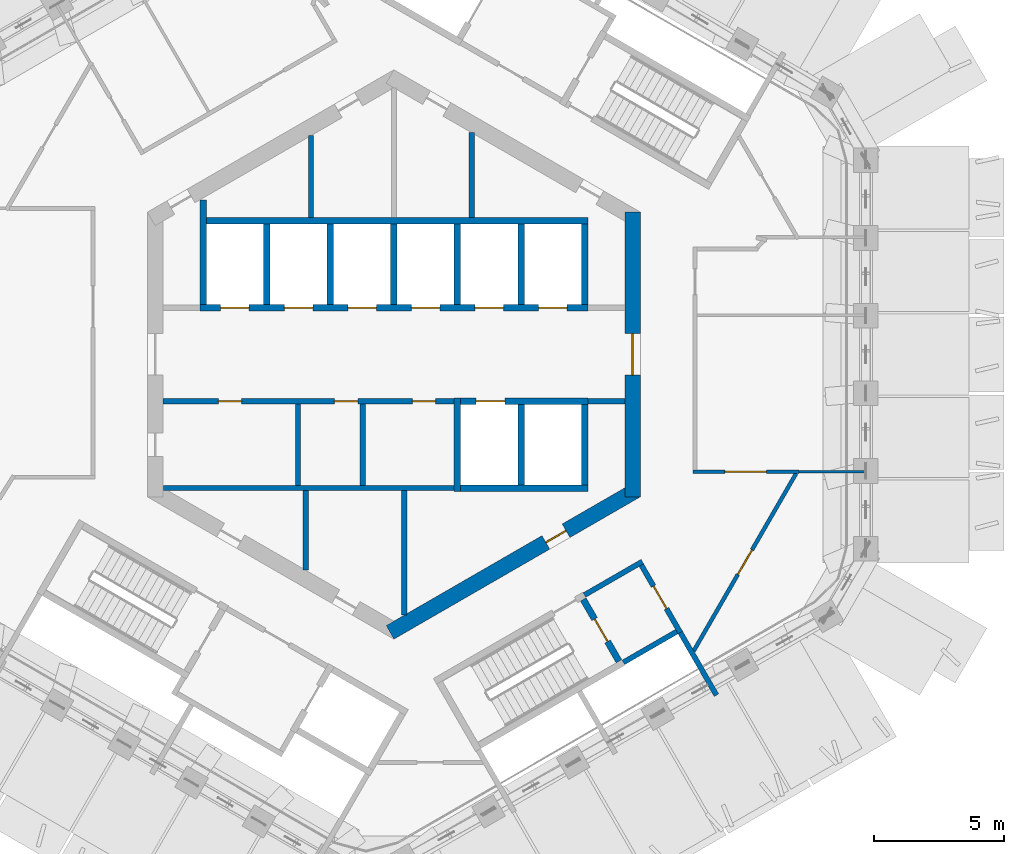
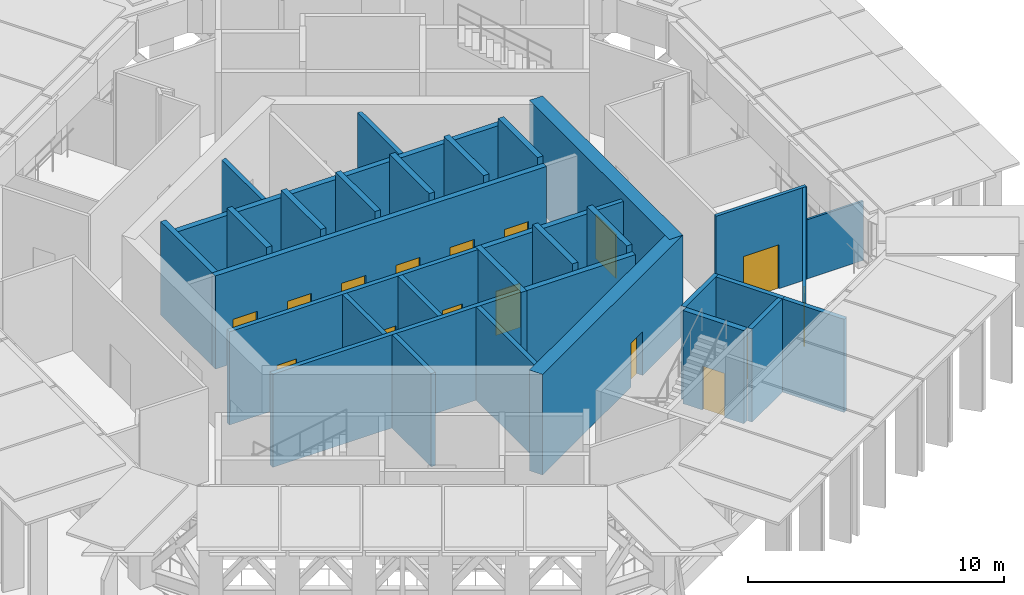
# One storey, part 7 of 15: 33 walls, 16 doors, 16 openings.
"""IFC4 building model written with IfcOpenShell, lengths in metres."""

from ifc_helpers import new_model, si_unit, direction, frame, frame_2d, origin, place, context, subcontext, project, spatial, rectangle, extrude, material, layer, layer_set, type_object, element, fill, save


model = new_model("IFC4")

# Units and contexts
model_context = context("Model", 3, precision=1e-05, world=origin(), true_north=direction((0.0, 1.0)))
body_context = subcontext(model_context, "Body", "Model", "MODEL_VIEW")
ifc_project = project(units=[si_unit("LENGTHUNIT", "METRE"), si_unit("AREAUNIT", "SQUARE_METRE"), si_unit("VOLUMEUNIT", "CUBIC_METRE"), si_unit("PLANEANGLEUNIT", "RADIAN"), si_unit("MASSUNIT", "GRAM", prefix="KILO")], contexts=[model_context])

# Site, building, storey
site_placement = place(None, origin())
site = spatial("IfcSite", under=ifc_project, at=site_placement, CompositionType="ELEMENT")
building_placement = place(site_placement, origin())
building = spatial("IfcBuilding", under=site, at=building_placement, Name="Ayvan Gate Tower", CompositionType="ELEMENT")
storey_placement = place(building_placement, frame((0.0, 0.0, 214.10009765625)))
storey = spatial("IfcBuildingStorey", under=building, at=storey_placement, Name="L57", CompositionType="ELEMENT", Elevation=214.10009765625)

# Wall, opening, door
ifc_material_1 = material(Name="Concrete C60/75", Category="concrete")
ifc_layer_1 = layer(ifc_material_1, 0.60009765625)
ifc_layer_set_1 = layer_set([ifc_layer_1], Name="Concrete C60/75")
wall_type_1 = type_object("IfcWallType", Name="Core wall 600 C60/75", PredefinedType="SHEAR", material=ifc_layer_set_1)
wall_1_placement = place(storey_placement, frame((9.199951171875, -5.48486328125, 0.0), z_axis=(0.0, 0.0, 1.0), x_axis=(0.0, 1.0, 0.0)))
wall_1 = element("IfcWall", 1, at=wall_1_placement, inside=storey, type_object=wall_type_1, Name="CORE-L57-0", PredefinedType="SHEAR", context=body_context, shape_type="SweptSolid", body=[
    extrude(rectangle(XDim=10.9697265625, YDim=0.60009765625, at=frame_2d((5.48486328125, 0.0))), origin(), (0.0, 0.0, 1.0), 4.7998046875),
])
opening_1_placement = place(wall_1_placement, frame((4.684814453125, 0.0, 0.0)))
opening_1 = element("IfcOpeningElement", 2, at=opening_1_placement, cuts=wall_1, Name="Opening L57-D40", PredefinedType="OPENING", context=body_context, shape_type="SweptSolid", body=[
    extrude(rectangle(XDim=1.60009765625, YDim=2.10009765625, at=frame_2d((0.800048828125, 1.050048828125))), frame((0.0, 0.31005859375, 0.0), z_axis=(0.0, -1.0, 0.0), x_axis=(1.0, 0.0, 0.0)), (0.0, 0.0, 1.0), 0.6201171875),
])
ifc_material_2 = material(Name="Timber door leaf", Category="wood")
door_type_1 = type_object("IfcDoorType", Name="DT-1600", OperationType="NOTDEFINED", PredefinedType="DOOR", material=ifc_material_2)
door_1_placement = place(opening_1_placement, origin())
door_1 = element("IfcDoor", 3, at=door_1_placement, inside=storey, type_object=door_type_1, Name="CD-L57-40", OperationType="SINGLE_SWING_LEFT", OverallHeight=2.10009765625, OverallWidth=1.60009765625, PredefinedType="DOOR", context=body_context, shape_type="SweptSolid", body=[
    extrude(rectangle(XDim=1.60009765625, YDim=2.10009765625, at=frame_2d((0.800048828125, 1.050048828125))), frame((0.0, 0.02490234375, 0.0), z_axis=(0.0, -1.0, 0.0), x_axis=(1.0, 0.0, 0.0)), (0.0, 0.0, 1.0), 0.050048828125),
])
fill(opening_1, door_1)

wall_2_placement = place(storey_placement, frame((-0.14990234375, -10.7099609375, 0.0), z_axis=(0.0, 0.0, 1.0), x_axis=(0.866023993627, 0.500002442456, 0.0)))
wall_2 = element("IfcWall", 4, at=wall_2_placement, inside=storey, type_object=wall_type_1, Name="CORE-L57-5", PredefinedType="SHEAR", context=body_context, shape_type="SweptSolid", body=[
    extrude(rectangle(XDim=10.9697265625, YDim=0.60009765625, at=frame_2d((5.48486328125, 0.0))), origin(), (0.0, 0.0, 1.0), 4.7998046875),
])
opening_2_placement = place(wall_2_placement, frame((6.934814453125, 0.0, 0.0)))
opening_2 = element("IfcOpeningElement", 5, at=opening_2_placement, cuts=wall_2, Name="Opening L57-D38", PredefinedType="OPENING", context=body_context, shape_type="SweptSolid", body=[
    extrude(rectangle(XDim=0.89990234375, YDim=2.10009765625, at=frame_2d((0.449951171875, 1.050048828125))), frame((0.0, 0.31005859375, 0.0), z_axis=(0.0, -1.0, 0.0), x_axis=(1.0, 0.0, 0.0)), (0.0, 0.0, 1.0), 0.6201171875),
])
door_type_2 = type_object("IfcDoorType", Name="DT-900", OperationType="NOTDEFINED", PredefinedType="DOOR", material=ifc_material_2)
door_2_placement = place(opening_2_placement, origin())
door_2 = element("IfcDoor", 6, at=door_2_placement, inside=storey, type_object=door_type_2, Name="CD-L57-38", OperationType="SINGLE_SWING_LEFT", OverallHeight=2.10009765625, OverallWidth=0.89990234375, PredefinedType="DOOR", context=body_context, shape_type="SweptSolid", body=[
    extrude(rectangle(XDim=0.89990234375, YDim=2.10009765625, at=frame_2d((0.449951171875, 1.050048828125))), frame((0.0, 0.02490234375, 0.0), z_axis=(0.0, -1.0, 0.0), x_axis=(1.0, 0.0, 0.0)), (0.0, 0.0, 1.0), 0.050048828125),
])
fill(opening_2, door_2)

ifc_material_3 = material(Name="Plasterboard on steel stud", Category="steel")
ifc_layer_2 = layer(ifc_material_3, 0.14990234375)
ifc_layer_set_2 = layer_set([ifc_layer_2], Name="Plasterboard on steel stud")
wall_type_2 = type_object("IfcWallType", Name="WT-CORR-150", PredefinedType="PARTITIONING", material=ifc_layer_set_2)
wall_3_placement = place(storey_placement, frame((11.52490234375, -4.518310546875, 0.0), z_axis=(0.0, 0.0, 1.0), x_axis=(1.0, 0.0, 0.0)))
wall_3 = element("IfcWall", 7, at=wall_3_placement, inside=storey, type_object=wall_type_2, Name="IW-L57-083", PredefinedType="PARTITIONING", context=body_context, shape_type="SweptSolid", body=[
    extrude(rectangle(XDim=4.090087890625, YDim=0.14990234375, at=frame_2d((2.044921875, 0.0))), origin(), (0.0, 0.0, 1.0), 4.449951171875),
])
opening_3_placement = place(wall_3_placement, frame((1.227783203125, 0.0, 0.0)))
opening_3 = element("IfcOpeningElement", 8, at=opening_3_placement, cuts=wall_3, Name="Opening L57-D24", PredefinedType="OPENING", context=body_context, shape_type="SweptSolid", body=[
    extrude(rectangle(XDim=1.60009765625, YDim=2.10009765625, at=frame_2d((0.800048828125, 1.050048828125))), frame((0.0, 0.0849609375, 0.0), z_axis=(0.0, -1.0, 0.0), x_axis=(1.0, 0.0, 0.0)), (0.0, 0.0, 1.0), 0.169921875),
])
door_3_placement = place(opening_3_placement, origin())
door_3 = element("IfcDoor", 9, at=door_3_placement, inside=storey, type_object=door_type_1, Name="ID-L57-024", OperationType="SINGLE_SWING_LEFT", OverallHeight=2.10009765625, OverallWidth=1.60009765625, PredefinedType="DOOR", context=body_context, shape_type="SweptSolid", body=[
    extrude(rectangle(XDim=1.60009765625, YDim=2.10009765625, at=frame_2d((0.800048828125, 1.050048828125))), frame((0.0, 0.02490234375, 0.0), z_axis=(0.0, -1.0, 0.0), x_axis=(1.0, 0.0, 0.0)), (0.0, 0.0, 1.0), 0.050048828125),
])
fill(opening_3, door_3)

wall_4_placement = place(storey_placement, frame((15.50244140625, -4.583251953125, 0.0), z_axis=(0.0, 0.0, 1.0), x_axis=(-0.499991531824, -0.866030292833, 0.0)))
wall_4 = element("IfcWall", 10, at=wall_4_placement, inside=storey, type_object=wall_type_2, Name="IW-L57-095", PredefinedType="PARTITIONING", context=body_context, shape_type="SweptSolid", body=[
    extrude(rectangle(XDim=7.906494140625, YDim=0.14990234375, at=frame_2d((3.953125, 0.0))), origin(), (0.0, 0.0, 1.0), 4.449951171875),
])
opening_4_placement = place(wall_4_placement, frame((3.4033203125, 0.0, 0.0)))
opening_4 = element("IfcOpeningElement", 11, at=opening_4_placement, cuts=wall_4, Name="Opening L57-D22", PredefinedType="OPENING", context=body_context, shape_type="SweptSolid", body=[
    extrude(rectangle(XDim=1.10009765625, YDim=2.10009765625, at=frame_2d((0.550048828125, 1.050048828125))), frame((0.0, 0.0849609375, 0.0), z_axis=(0.0, -1.0, 0.0), x_axis=(1.0, 0.0, 0.0)), (0.0, 0.0, 1.0), 0.169921875),
])
door_type_3 = type_object("IfcDoorType", Name="DT-1100", OperationType="NOTDEFINED", PredefinedType="DOOR", material=ifc_material_2)
door_4_placement = place(opening_4_placement, origin())
door_4 = element("IfcDoor", 12, at=door_4_placement, inside=storey, type_object=door_type_3, Name="ID-L57-022", OperationType="SINGLE_SWING_LEFT", OverallHeight=2.10009765625, OverallWidth=1.10009765625, PredefinedType="DOOR", context=body_context, shape_type="SweptSolid", body=[
    extrude(rectangle(XDim=1.10009765625, YDim=2.10009765625, at=frame_2d((0.550048828125, 1.050048828125))), frame((0.0, 0.02490234375, 0.0), z_axis=(0.0, -1.0, 0.0), x_axis=(1.0, 0.0, 0.0)), (0.0, 0.0, 1.0), 0.050048828125),
])
fill(opening_4, door_4)

# Walls
ifc_layer_3 = layer(ifc_material_3, 0.10009765625)
ifc_layer_set_3 = layer_set([ifc_layer_3], Name="Plasterboard on steel stud")
wall_type_3 = type_object("IfcWallType", Name="WT-PART-100", PredefinedType="PARTITIONING", material=ifc_layer_set_3)
wall_5_placement = place(storey_placement, frame((15.614990234375, -4.518310546875, 0.0), z_axis=(0.0, 0.0, 1.0), x_axis=(1.0, 0.0, 0.0)))
element("IfcWall", 13, at=wall_5_placement, inside=storey, type_object=wall_type_3, Name="IW-L57-096", PredefinedType="PARTITIONING", context=body_context, shape_type="SweptSolid", body=[
    extrude(rectangle(XDim=2.571533203125, YDim=0.10009765625, at=frame_2d((1.28564453125, 0.0))), origin(), (0.0, 0.0, 1.0), 2.824951171875),
])
ifc_layer_4 = layer(ifc_material_3, 0.199951171875)
ifc_layer_set_4 = layer_set([ifc_layer_4], Name="Plasterboard on steel stud")
wall_type_4 = type_object("IfcWallType", Name="WT-PLUMB-200", PredefinedType="PLUMBINGWALL", material=ifc_layer_set_4)
wall_6_placement = place(storey_placement, frame((11.037353515625, -10.71728515625, 0.0), z_axis=(0.0, 0.0, 1.0), x_axis=(0.500013277472, -0.866017737897, 0.0)))
element("IfcWall", 14, at=wall_6_placement, inside=storey, type_object=wall_type_4, Name="IW-L57-081", PredefinedType="PLUMBINGWALL", context=body_context, shape_type="SweptSolid", body=[
    extrude(rectangle(XDim=2.78564453125, YDim=0.199951171875, at=frame_2d((1.392822265625, 0.0))), origin(), (0.0, 0.0, 1.0), 4.449951171875),
])
wall_7_placement = place(storey_placement, frame((10.900634765625, -10.6806640625, 0.0), z_axis=(0.0, 0.0, 1.0), x_axis=(-0.866007538022, -0.500030943131, 0.0)))
element("IfcWall", 15, at=wall_7_placement, inside=storey, type_object=wall_type_4, Name="IW-L57-082", PredefinedType="PLUMBINGWALL", context=body_context, shape_type="SweptSolid", body=[
    extrude(rectangle(XDim=2.374755859375, YDim=0.199951171875, at=frame_2d((1.1875, 0.0))), origin(), (0.0, 0.0, 1.0), 4.449951171875),
])
ifc_layer_5 = layer(ifc_material_3, 0.199951171875)
ifc_layer_set_5 = layer_set([ifc_layer_5], Name="Plasterboard on steel stud")
wall_type_5 = type_object("IfcWallType", Name="WT-RATED-200", PredefinedType="PARTITIONING", material=ifc_layer_set_5)
wall_8_placement = place(storey_placement, frame((-8.8798828125, -5.14990234375, 0.0), z_axis=(0.0, 0.0, 1.0), x_axis=(1.0, 0.0, 0.0)))
element("IfcWall", 16, at=wall_8_placement, inside=storey, type_object=wall_type_5, Name="IW-L57-014", PredefinedType="PARTITIONING", context=body_context, shape_type="SweptSolid", body=[
    extrude(rectangle(XDim=11.205078125, YDim=0.199951171875, at=frame_2d((5.6025390625, 0.0))), origin(), (0.0, 0.0, 1.0), 4.449951171875),
])
wall_9_placement = place(storey_placement, frame((-3.699951171875, -1.89990234375, 0.0), z_axis=(0.0, 0.0, 1.0), x_axis=(0.0, -1.0, 0.0)))
element("IfcWall", 17, at=wall_9_placement, inside=storey, type_object=wall_type_5, Name="IW-L57-029", PredefinedType="PARTITIONING", context=body_context, shape_type="SweptSolid", body=[
    extrude(rectangle(XDim=3.150146484375, YDim=0.199951171875, at=frame_2d((1.5751953125, 0.0))), origin(), (0.0, 0.0, 1.0), 4.449951171875),
])

# Wall, openings, doors
wall_10_placement = place(storey_placement, frame((-8.89990234375, -1.800048828125, 0.0), z_axis=(0.0, 0.0, 1.0), x_axis=(1.0, 0.0, 0.0)))
wall_10 = element("IfcWall", 18, at=wall_10_placement, inside=storey, type_object=wall_type_5, Name="IW-L57-030", PredefinedType="PARTITIONING", context=body_context, shape_type="SweptSolid", body=[
    extrude(rectangle(XDim=11.22509765625, YDim=0.199951171875, at=frame_2d((5.612548828125, 0.0))), origin(), (0.0, 0.0, 1.0), 4.449951171875),
])
opening_5_placement = place(wall_10_placement, frame((2.135009765625, 0.0, 0.0)))
opening_5 = element("IfcOpeningElement", 19, at=opening_5_placement, cuts=wall_10, Name="Opening L57-D08", PredefinedType="OPENING", context=body_context, shape_type="SweptSolid", body=[
    extrude(rectangle(XDim=0.89990234375, YDim=2.10009765625, at=frame_2d((0.449951171875, 1.050048828125))), frame((0.0, 0.10986328125, 0.0), z_axis=(0.0, -1.0, 0.0), x_axis=(1.0, 0.0, 0.0)), (0.0, 0.0, 1.0), 0.219970703125),
])
opening_6_placement = place(wall_10_placement, frame((6.610107421875, 0.0, 0.0)))
opening_6 = element("IfcOpeningElement", 20, at=opening_6_placement, cuts=wall_10, Name="Opening L57-D09", PredefinedType="OPENING", context=body_context, shape_type="SweptSolid", body=[
    extrude(rectangle(XDim=0.89990234375, YDim=2.10009765625, at=frame_2d((0.449951171875, 1.050048828125))), frame((0.0, 0.10986328125, 0.0), z_axis=(0.0, -1.0, 0.0), x_axis=(1.0, 0.0, 0.0)), (0.0, 0.0, 1.0), 0.219970703125),
])
opening_7_placement = place(wall_10_placement, frame((9.612548828125, 0.0, 0.0)))
opening_7 = element("IfcOpeningElement", 21, at=opening_7_placement, cuts=wall_10, Name="Opening L57-D10", PredefinedType="OPENING", context=body_context, shape_type="SweptSolid", body=[
    extrude(rectangle(XDim=0.89990234375, YDim=2.10009765625, at=frame_2d((0.449951171875, 1.050048828125))), frame((0.0, 0.10986328125, 0.0), z_axis=(0.0, -1.0, 0.0), x_axis=(1.0, 0.0, 0.0)), (0.0, 0.0, 1.0), 0.219970703125),
])
door_5_placement = place(opening_5_placement, origin())
door_5 = element("IfcDoor", 22, at=door_5_placement, inside=storey, type_object=door_type_2, Name="ID-L57-008", OperationType="SINGLE_SWING_LEFT", OverallHeight=2.10009765625, OverallWidth=0.89990234375, PredefinedType="DOOR", context=body_context, shape_type="SweptSolid", body=[
    extrude(rectangle(XDim=0.89990234375, YDim=2.10009765625, at=frame_2d((0.449951171875, 1.050048828125))), frame((0.0, 0.02490234375, 0.0), z_axis=(0.0, -1.0, 0.0), x_axis=(1.0, 0.0, 0.0)), (0.0, 0.0, 1.0), 0.050048828125),
])
fill(opening_5, door_5)
door_6_placement = place(opening_6_placement, origin())
door_6 = element("IfcDoor", 23, at=door_6_placement, inside=storey, type_object=door_type_2, Name="ID-L57-009", OperationType="SINGLE_SWING_RIGHT", OverallHeight=2.10009765625, OverallWidth=0.89990234375, PredefinedType="DOOR", context=body_context, shape_type="SweptSolid", body=[
    extrude(rectangle(XDim=0.89990234375, YDim=2.10009765625, at=frame_2d((0.449951171875, 1.050048828125))), frame((0.0, 0.02490234375, 0.0), z_axis=(0.0, -1.0, 0.0), x_axis=(1.0, 0.0, 0.0)), (0.0, 0.0, 1.0), 0.050048828125),
])
fill(opening_6, door_6)
door_7_placement = place(opening_7_placement, origin())
door_7 = element("IfcDoor", 24, at=door_7_placement, inside=storey, type_object=door_type_2, Name="ID-L57-010", OperationType="SINGLE_SWING_LEFT", OverallHeight=2.10009765625, OverallWidth=0.89990234375, PredefinedType="DOOR", context=body_context, shape_type="SweptSolid", body=[
    extrude(rectangle(XDim=0.89990234375, YDim=2.10009765625, at=frame_2d((0.449951171875, 1.050048828125))), frame((0.0, 0.02490234375, 0.0), z_axis=(0.0, -1.0, 0.0), x_axis=(1.0, 0.0, 0.0)), (0.0, 0.0, 1.0), 0.050048828125),
])
fill(opening_7, door_7)

# Walls
wall_11_placement = place(storey_placement, frame((-3.39990234375, -5.25, 0.0), z_axis=(0.0, 0.0, 1.0), x_axis=(0.0, -1.0, 0.0)))
element("IfcWall", 25, at=wall_11_placement, inside=storey, type_object=wall_type_5, Name="IW-L57-031", PredefinedType="PARTITIONING", context=body_context, shape_type="SweptSolid", body=[
    extrude(rectangle(XDim=3.063720703125, YDim=0.199951171875, at=frame_2d((1.53173828125, 0.0))), origin(), (0.0, 0.0, 1.0), 4.449951171875),
])
wall_12_placement = place(storey_placement, frame((-3.199951171875, 8.42919921875, 0.0), z_axis=(0.0, 0.0, 1.0), x_axis=(0.0, -1.0, 0.0)))
element("IfcWall", 26, at=wall_12_placement, inside=storey, type_object=wall_type_5, Name="IW-L57-032", PredefinedType="PARTITIONING", context=body_context, shape_type="SweptSolid", body=[
    extrude(rectangle(XDim=3.154296875, YDim=0.199951171875, at=frame_2d((1.5771484375, 0.0))), origin(), (0.0, 0.0, 1.0), 4.449951171875),
])
wall_13_placement = place(storey_placement, frame((-1.199951171875, -1.89990234375, 0.0), z_axis=(0.0, 0.0, 1.0), x_axis=(0.0, -1.0, 0.0)))
element("IfcWall", 27, at=wall_13_placement, inside=storey, type_object=wall_type_5, Name="IW-L57-042", PredefinedType="PARTITIONING", context=body_context, shape_type="SweptSolid", body=[
    extrude(rectangle(XDim=3.150146484375, YDim=0.199951171875, at=frame_2d((1.5751953125, 0.0))), origin(), (0.0, 0.0, 1.0), 4.449951171875),
])
wall_14_placement = place(storey_placement, frame((0.39990234375, -5.25, 0.0), z_axis=(0.0, 0.0, 1.0), x_axis=(0.0, -1.0, 0.0)))
element("IfcWall", 28, at=wall_14_placement, inside=storey, type_object=wall_type_5, Name="IW-L57-049", PredefinedType="PARTITIONING", context=body_context, shape_type="SweptSolid", body=[
    extrude(rectangle(XDim=4.7958984375, YDim=0.199951171875, at=frame_2d((2.39794921875, 0.0))), origin(), (0.0, 0.0, 1.0), 4.449951171875),
])
wall_15_placement = place(storey_placement, frame((3.0, 8.544921875, 0.0), z_axis=(0.0, 0.0, 1.0), x_axis=(0.0, -1.0, 0.0)))
element("IfcWall", 29, at=wall_15_placement, inside=storey, type_object=wall_type_5, Name="IW-L57-057", PredefinedType="PARTITIONING", context=body_context, shape_type="SweptSolid", body=[
    extrude(rectangle(XDim=3.27001953125, YDim=0.199951171875, at=frame_2d((1.635009765625, 0.0))), origin(), (0.0, 0.0, 1.0), 4.449951171875),
])
wall_16_placement = place(storey_placement, frame((7.343994140625, -9.27001953125, 0.0), z_axis=(0.0, 0.0, 1.0), x_axis=(0.866005588531, 0.500034319456, 0.0)))
element("IfcWall", 30, at=wall_16_placement, inside=storey, type_object=wall_type_5, Name="IW-L57-072", PredefinedType="PARTITIONING", context=body_context, shape_type="SweptSolid", body=[
    extrude(rectangle(XDim=2.574951171875, YDim=0.199951171875, at=frame_2d((1.28759765625, 0.0))), origin(), (0.0, 0.0, 1.0), 4.449951171875),
])
wall_17_placement = place(storey_placement, frame((8.89990234375, -1.800048828125, 0.0), z_axis=(0.0, 0.0, 1.0), x_axis=(-1.0, 0.0, 0.0)))
element("IfcWall", 31, at=wall_17_placement, inside=storey, type_object=wall_type_5, Name="IW-L57-079", PredefinedType="PARTITIONING", context=body_context, shape_type="SweptSolid", body=[
    extrude(rectangle(XDim=1.425048828125, YDim=0.199951171875, at=frame_2d((0.71240234375, 0.0))), origin(), (0.0, 0.0, 1.0), 4.449951171875),
])

# Wall, opening, door
wall_18_placement = place(storey_placement, frame((9.537353515625, -8.119140625, 0.0), z_axis=(0.0, 0.0, 1.0), x_axis=(0.499990139034, -0.866031096941, 0.0)))
wall_18 = element("IfcWall", 32, at=wall_18_placement, inside=storey, type_object=wall_type_5, Name="IW-L57-080", PredefinedType="PARTITIONING", context=body_context, shape_type="SweptSolid", body=[
    extrude(rectangle(XDim=3.0, YDim=0.199951171875, at=frame_2d((1.5, 0.0))), origin(), (0.0, 0.0, 1.0), 4.449951171875),
])
opening_8_placement = place(wall_18_placement, frame((0.93505859375, 0.0, 0.0)))
opening_8 = element("IfcOpeningElement", 33, at=opening_8_placement, cuts=wall_18, Name="Opening L57-D20", PredefinedType="OPENING", context=body_context, shape_type="SweptSolid", body=[
    extrude(rectangle(XDim=1.0, YDim=2.10009765625, at=frame_2d((0.5, 1.050048828125))), frame((0.0, 0.10986328125, 0.0), z_axis=(0.0, -1.0, 0.0), x_axis=(1.0, 0.0, 0.0)), (0.0, 0.0, 1.0), 0.219970703125),
])
door_type_4 = type_object("IfcDoorType", Name="DT-1000", OperationType="NOTDEFINED", PredefinedType="DOOR", material=ifc_material_2)
door_8_placement = place(opening_8_placement, origin())
door_8 = element("IfcDoor", 34, at=door_8_placement, inside=storey, type_object=door_type_4, Name="ID-L57-020", OperationType="SINGLE_SWING_LEFT", OverallHeight=2.10009765625, OverallWidth=1.0, PredefinedType="DOOR", context=body_context, shape_type="SweptSolid", body=[
    extrude(rectangle(XDim=1.0, YDim=2.10009765625, at=frame_2d((0.5, 1.050048828125))), frame((0.0, 0.02490234375, 0.0), z_axis=(0.0, -1.0, 0.0), x_axis=(1.0, 0.0, 0.0)), (0.0, 0.0, 1.0), 0.050048828125),
])
fill(opening_8, door_8)

# Wall, openings, doors
ifc_material_4 = material(Name="Concrete C50/60", Category="concrete")
ifc_layer_6 = layer(ifc_material_4, 0.25)
ifc_layer_set_6 = layer_set([ifc_layer_6], Name="Concrete C50/60")
wall_type_6 = type_object("IfcWallType", Name="WT-RC-250", PredefinedType="SHEAR", material=ifc_layer_set_6)
wall_19_placement = place(storey_placement, frame((-7.47509765625, 1.800048828125, 0.0), z_axis=(0.0, 0.0, 1.0), x_axis=(1.0, 0.0, 0.0)))
wall_19 = element("IfcWall", 35, at=wall_19_placement, inside=storey, type_object=wall_type_6, Name="IW-L57-019", PredefinedType="SHEAR", context=body_context, shape_type="SweptSolid", body=[
    extrude(rectangle(XDim=14.9501953125, YDim=0.25, at=frame_2d((7.47509765625, 0.0))), origin(), (0.0, 0.0, 1.0), 4.449951171875),
])
opening_9_placement = place(wall_19_placement, frame((0.800048828125, 0.0, 0.0)))
opening_9 = element("IfcOpeningElement", 36, at=opening_9_placement, cuts=wall_19, Name="Opening L57-LD-HR1", PredefinedType="OPENING", context=body_context, shape_type="SweptSolid", body=[
    extrude(rectangle(XDim=1.10009765625, YDim=2.10009765625, at=frame_2d((0.550048828125, 1.050048828125))), frame((0.0, 0.135009765625, 0.0), z_axis=(0.0, -1.0, 0.0), x_axis=(1.0, 0.0, 0.0)), (0.0, 0.0, 1.0), 0.27001953125),
])
opening_10_placement = place(wall_19_placement, frame((3.25, 0.0, 0.0)))
opening_10 = element("IfcOpeningElement", 37, at=opening_10_placement, cuts=wall_19, Name="Opening L57-LD-HR2", PredefinedType="OPENING", context=body_context, shape_type="SweptSolid", body=[
    extrude(rectangle(XDim=1.10009765625, YDim=2.10009765625, at=frame_2d((0.550048828125, 1.050048828125))), frame((0.0, 0.135009765625, 0.0), z_axis=(0.0, -1.0, 0.0), x_axis=(1.0, 0.0, 0.0)), (0.0, 0.0, 1.0), 0.27001953125),
])
opening_11_placement = place(wall_19_placement, frame((5.7001953125, 0.0, 0.0)))
opening_11 = element("IfcOpeningElement", 38, at=opening_11_placement, cuts=wall_19, Name="Opening L57-LD-HR3", PredefinedType="OPENING", context=body_context, shape_type="SweptSolid", body=[
    extrude(rectangle(XDim=1.10009765625, YDim=2.10009765625, at=frame_2d((0.550048828125, 1.050048828125))), frame((0.0, 0.135009765625, 0.0), z_axis=(0.0, -1.0, 0.0), x_axis=(1.0, 0.0, 0.0)), (0.0, 0.0, 1.0), 0.27001953125),
])
opening_12_placement = place(wall_19_placement, frame((8.150146484375, 0.0, 0.0)))
opening_12 = element("IfcOpeningElement", 39, at=opening_12_placement, cuts=wall_19, Name="Opening L57-LD-HR4", PredefinedType="OPENING", context=body_context, shape_type="SweptSolid", body=[
    extrude(rectangle(XDim=1.10009765625, YDim=2.10009765625, at=frame_2d((0.550048828125, 1.050048828125))), frame((0.0, 0.135009765625, 0.0), z_axis=(0.0, -1.0, 0.0), x_axis=(1.0, 0.0, 0.0)), (0.0, 0.0, 1.0), 0.27001953125),
])
opening_13_placement = place(wall_19_placement, frame((10.60009765625, 0.0, 0.0)))
opening_13 = element("IfcOpeningElement", 40, at=opening_13_placement, cuts=wall_19, Name="Opening L57-LD-HR5", PredefinedType="OPENING", context=body_context, shape_type="SweptSolid", body=[
    extrude(rectangle(XDim=1.10009765625, YDim=2.10009765625, at=frame_2d((0.550048828125, 1.050048828125))), frame((0.0, 0.135009765625, 0.0), z_axis=(0.0, -1.0, 0.0), x_axis=(1.0, 0.0, 0.0)), (0.0, 0.0, 1.0), 0.27001953125),
])
opening_14_placement = place(wall_19_placement, frame((13.050048828125, 0.0, 0.0)))
opening_14 = element("IfcOpeningElement", 41, at=opening_14_placement, cuts=wall_19, Name="Opening L57-LD-HR6", PredefinedType="OPENING", context=body_context, shape_type="SweptSolid", body=[
    extrude(rectangle(XDim=1.10009765625, YDim=2.10009765625, at=frame_2d((0.550048828125, 1.050048828125))), frame((0.0, 0.135009765625, 0.0), z_axis=(0.0, -1.0, 0.0), x_axis=(1.0, 0.0, 0.0)), (0.0, 0.0, 1.0), 0.27001953125),
])
ifc_material_5 = material(Name="Stainless steel landing door", Category="steel")
door_type_5 = type_object("IfcDoorType", Name="DT-LANDING-1100", OperationType="SLIDING_TO_LEFT", PredefinedType="DOOR", material=ifc_material_5)
door_9_placement = place(opening_9_placement, origin())
door_9 = element("IfcDoor", 42, at=door_9_placement, inside=storey, type_object=door_type_5, Name="ID-L57-001", OperationType="SLIDING_TO_LEFT", OverallHeight=2.10009765625, OverallWidth=1.10009765625, PredefinedType="DOOR", context=body_context, shape_type="SweptSolid", body=[
    extrude(rectangle(XDim=1.10009765625, YDim=2.10009765625, at=frame_2d((0.550048828125, 1.050048828125))), frame((0.0, 0.02490234375, 0.0), z_axis=(0.0, -1.0, 0.0), x_axis=(1.0, 0.0, 0.0)), (0.0, 0.0, 1.0), 0.050048828125),
])
fill(opening_9, door_9)
door_10_placement = place(opening_10_placement, origin())
door_10 = element("IfcDoor", 43, at=door_10_placement, inside=storey, type_object=door_type_5, Name="ID-L57-002", OperationType="SLIDING_TO_LEFT", OverallHeight=2.10009765625, OverallWidth=1.10009765625, PredefinedType="DOOR", context=body_context, shape_type="SweptSolid", body=[
    extrude(rectangle(XDim=1.10009765625, YDim=2.10009765625, at=frame_2d((0.550048828125, 1.050048828125))), frame((0.0, 0.02490234375, 0.0), z_axis=(0.0, -1.0, 0.0), x_axis=(1.0, 0.0, 0.0)), (0.0, 0.0, 1.0), 0.050048828125),
])
fill(opening_10, door_10)
door_11_placement = place(opening_11_placement, origin())
door_11 = element("IfcDoor", 44, at=door_11_placement, inside=storey, type_object=door_type_5, Name="ID-L57-003", OperationType="SLIDING_TO_LEFT", OverallHeight=2.10009765625, OverallWidth=1.10009765625, PredefinedType="DOOR", context=body_context, shape_type="SweptSolid", body=[
    extrude(rectangle(XDim=1.10009765625, YDim=2.10009765625, at=frame_2d((0.550048828125, 1.050048828125))), frame((0.0, 0.02490234375, 0.0), z_axis=(0.0, -1.0, 0.0), x_axis=(1.0, 0.0, 0.0)), (0.0, 0.0, 1.0), 0.050048828125),
])
fill(opening_11, door_11)
door_12_placement = place(opening_12_placement, origin())
door_12 = element("IfcDoor", 45, at=door_12_placement, inside=storey, type_object=door_type_5, Name="ID-L57-004", OperationType="SLIDING_TO_LEFT", OverallHeight=2.10009765625, OverallWidth=1.10009765625, PredefinedType="DOOR", context=body_context, shape_type="SweptSolid", body=[
    extrude(rectangle(XDim=1.10009765625, YDim=2.10009765625, at=frame_2d((0.550048828125, 1.050048828125))), frame((0.0, 0.02490234375, 0.0), z_axis=(0.0, -1.0, 0.0), x_axis=(1.0, 0.0, 0.0)), (0.0, 0.0, 1.0), 0.050048828125),
])
fill(opening_12, door_12)
door_13_placement = place(opening_13_placement, origin())
door_13 = element("IfcDoor", 46, at=door_13_placement, inside=storey, type_object=door_type_5, Name="ID-L57-005", OperationType="SLIDING_TO_LEFT", OverallHeight=2.10009765625, OverallWidth=1.10009765625, PredefinedType="DOOR", context=body_context, shape_type="SweptSolid", body=[
    extrude(rectangle(XDim=1.10009765625, YDim=2.10009765625, at=frame_2d((0.550048828125, 1.050048828125))), frame((0.0, 0.02490234375, 0.0), z_axis=(0.0, -1.0, 0.0), x_axis=(1.0, 0.0, 0.0)), (0.0, 0.0, 1.0), 0.050048828125),
])
fill(opening_13, door_13)
door_14_placement = place(opening_14_placement, origin())
door_14 = element("IfcDoor", 47, at=door_14_placement, inside=storey, type_object=door_type_5, Name="ID-L57-006", OperationType="SLIDING_TO_LEFT", OverallHeight=2.10009765625, OverallWidth=1.10009765625, PredefinedType="DOOR", context=body_context, shape_type="SweptSolid", body=[
    extrude(rectangle(XDim=1.10009765625, YDim=2.10009765625, at=frame_2d((0.550048828125, 1.050048828125))), frame((0.0, 0.02490234375, 0.0), z_axis=(0.0, -1.0, 0.0), x_axis=(1.0, 0.0, 0.0)), (0.0, 0.0, 1.0), 0.050048828125),
])
fill(opening_14, door_14)

# Walls
wall_20_placement = place(storey_placement, frame((-7.35009765625, 1.925048828125, 0.0), z_axis=(0.0, 0.0, 1.0), x_axis=(0.0, 1.0, 0.0)))
element("IfcWall", 48, at=wall_20_placement, inside=storey, type_object=wall_type_6, Name="IW-L57-020", PredefinedType="SHEAR", context=body_context, shape_type="SweptSolid", body=[
    extrude(rectangle(XDim=4.0361328125, YDim=0.25, at=frame_2d((2.01806640625, 0.0))), origin(), (0.0, 0.0, 1.0), 4.449951171875),
])
wall_21_placement = place(storey_placement, frame((-7.22509765625, 5.14990234375, 0.0), z_axis=(0.0, 0.0, 1.0), x_axis=(1.0, 0.0, 0.0)))
element("IfcWall", 49, at=wall_21_placement, inside=storey, type_object=wall_type_6, Name="IW-L57-021", PredefinedType="SHEAR", context=body_context, shape_type="SweptSolid", body=[
    extrude(rectangle(XDim=14.7001953125, YDim=0.25, at=frame_2d((7.35009765625, 0.0))), origin(), (0.0, 0.0, 1.0), 4.449951171875),
])
for number, where, z_axis, x_axis, name in (
    (50, (-4.89990234375, 5.02490234375, 0.0), (0.0, 0.0, 1.0), (0.0, -1.0, 0.0), "IW-L57-025"),
    (51, (-2.449951171875, 5.02490234375, 0.0), (0.0, 0.0, 1.0), (0.0, -1.0, 0.0), "IW-L57-040"),
    (52, (0.0, 5.02490234375, 0.0), (0.0, 0.0, 1.0), (0.0, -1.0, 0.0), "IW-L57-047"),
):
    element("IfcWall", number, at=place(storey_placement, frame(where, z_axis=z_axis, x_axis=x_axis)), inside=storey, type_object=wall_type_6, Name=name, PredefinedType="SHEAR", context=body_context, shape_type="SweptSolid", body=[
        extrude(rectangle(XDim=3.099853515625, YDim=0.25, at=frame_2d((1.5498046875, 0.0))), origin(), (0.0, 0.0, 1.0), 4.7998046875),
    ])
wall_22_placement = place(storey_placement, frame((2.449951171875, -5.27490234375, 0.0), z_axis=(0.0, 0.0, 1.0), x_axis=(0.0, 1.0, 0.0)))
element("IfcWall", 53, at=wall_22_placement, inside=storey, type_object=wall_type_6, Name="IW-L57-053", PredefinedType="SHEAR", context=body_context, shape_type="SweptSolid", body=[
    extrude(rectangle(XDim=3.599853515625, YDim=0.25, at=frame_2d((1.7998046875, 0.0))), origin(), (0.0, 0.0, 1.0), 4.449951171875),
])
wall_23_placement = place(storey_placement, frame((2.449951171875, 5.02490234375, 0.0), z_axis=(0.0, 0.0, 1.0), x_axis=(0.0, -1.0, 0.0)))
element("IfcWall", 54, at=wall_23_placement, inside=storey, type_object=wall_type_6, Name="IW-L57-054", PredefinedType="SHEAR", context=body_context, shape_type="SweptSolid", body=[
    extrude(rectangle(XDim=3.099853515625, YDim=0.25, at=frame_2d((1.5498046875, 0.0))), origin(), (0.0, 0.0, 1.0), 4.7998046875),
])
wall_24_placement = place(storey_placement, frame((2.574951171875, -5.14990234375, 0.0), z_axis=(0.0, 0.0, 1.0), x_axis=(1.0, 0.0, 0.0)))
element("IfcWall", 55, at=wall_24_placement, inside=storey, type_object=wall_type_6, Name="IW-L57-063", PredefinedType="SHEAR", context=body_context, shape_type="SweptSolid", body=[
    extrude(rectangle(XDim=4.900146484375, YDim=0.25, at=frame_2d((2.4501953125, 0.0))), origin(), (0.0, 0.0, 1.0), 4.449951171875),
])
for number, where, z_axis, x_axis, name in (
    (56, (4.89990234375, -1.925048828125, 0.0), (0.0, 0.0, 1.0), (0.0, -1.0, 0.0), "IW-L57-064"),
    (57, (4.89990234375, 5.02490234375, 0.0), (0.0, 0.0, 1.0), (0.0, -1.0, 0.0), "IW-L57-065"),
):
    element("IfcWall", number, at=place(storey_placement, frame(where, z_axis=z_axis, x_axis=x_axis)), inside=storey, type_object=wall_type_6, Name=name, PredefinedType="SHEAR", context=body_context, shape_type="SweptSolid", body=[
        extrude(rectangle(XDim=3.099853515625, YDim=0.25, at=frame_2d((1.5498046875, 0.0))), origin(), (0.0, 0.0, 1.0), 4.7998046875),
    ])

# Wall, opening, door
wall_25_placement = place(storey_placement, frame((2.574951171875, -1.800048828125, 0.0), z_axis=(0.0, 0.0, 1.0), x_axis=(1.0, 0.0, 0.0)))
wall_25 = element("IfcWall", 58, at=wall_25_placement, inside=storey, type_object=wall_type_6, Name="IW-L57-066", PredefinedType="SHEAR", context=body_context, shape_type="SweptSolid", body=[
    extrude(rectangle(XDim=4.900146484375, YDim=0.25, at=frame_2d((2.4501953125, 0.0))), origin(), (0.0, 0.0, 1.0), 4.449951171875),
])
opening_15_placement = place(wall_25_placement, frame((0.597412109375, 0.0, 0.0)))
opening_15 = element("IfcOpeningElement", 59, at=opening_15_placement, cuts=wall_25, Name="Opening L57-LD-SV", PredefinedType="OPENING", context=body_context, shape_type="SweptSolid", body=[
    extrude(rectangle(XDim=1.10009765625, YDim=2.10009765625, at=frame_2d((0.550048828125, 1.050048828125))), frame((0.0, 0.135009765625, 0.0), z_axis=(0.0, -1.0, 0.0), x_axis=(1.0, 0.0, 0.0)), (0.0, 0.0, 1.0), 0.27001953125),
])
door_15_placement = place(opening_15_placement, origin())
door_15 = element("IfcDoor", 60, at=door_15_placement, inside=storey, type_object=door_type_5, Name="ID-L57-007", OperationType="SLIDING_TO_LEFT", OverallHeight=2.10009765625, OverallWidth=1.10009765625, PredefinedType="DOOR", context=body_context, shape_type="SweptSolid", body=[
    extrude(rectangle(XDim=1.10009765625, YDim=2.10009765625, at=frame_2d((0.550048828125, 1.050048828125))), frame((0.0, 0.02490234375, 0.0), z_axis=(0.0, -1.0, 0.0), x_axis=(1.0, 0.0, 0.0)), (0.0, 0.0, 1.0), 0.050048828125),
])
fill(opening_15, door_15)

wall_26_placement = place(storey_placement, frame((7.298095703125, -9.44091796875, 0.0), z_axis=(0.0, 0.0, 1.0), x_axis=(0.500034990121, -0.866005201286, 0.0)))
wall_26 = element("IfcWall", 61, at=wall_26_placement, inside=storey, type_object=wall_type_6, Name="IW-L57-071", PredefinedType="SHEAR", context=body_context, shape_type="SweptSolid", body=[
    extrude(rectangle(XDim=2.749755859375, YDim=0.25, at=frame_2d((1.375, 0.0))), origin(), (0.0, 0.0, 1.0), 4.449951171875),
])
opening_16_placement = place(wall_26_placement, frame((0.875, 0.0, 0.0)))
opening_16 = element("IfcOpeningElement", 62, at=opening_16_placement, cuts=wall_26, Name="Opening L57-D21", PredefinedType="OPENING", context=body_context, shape_type="SweptSolid", body=[
    extrude(rectangle(XDim=1.0, YDim=2.10009765625, at=frame_2d((0.5, 1.050048828125))), frame((0.0, 0.135009765625, 0.0), z_axis=(0.0, -1.0, 0.0), x_axis=(1.0, 0.0, 0.0)), (0.0, 0.0, 1.0), 0.27001953125),
])
door_16_placement = place(opening_16_placement, origin())
door_16 = element("IfcDoor", 63, at=door_16_placement, inside=storey, type_object=door_type_4, Name="ID-L57-021", OperationType="SINGLE_SWING_RIGHT", OverallHeight=2.10009765625, OverallWidth=1.0, PredefinedType="DOOR", context=body_context, shape_type="SweptSolid", body=[
    extrude(rectangle(XDim=1.0, YDim=2.10009765625, at=frame_2d((0.5, 1.050048828125))), frame((0.0, 0.02490234375, 0.0), z_axis=(0.0, -1.0, 0.0), x_axis=(1.0, 0.0, 0.0)), (0.0, 0.0, 1.0), 0.050048828125),
])
fill(opening_16, door_16)

# Walls
for number, where, z_axis, x_axis, name in (
    (64, (7.35009765625, -1.925048828125, 0.0), (0.0, 0.0, 1.0), (0.0, -1.0, 0.0), "IW-L57-074"),
    (65, (7.35009765625, 5.02490234375, 0.0), (0.0, 0.0, 1.0), (0.0, -1.0, 0.0), "IW-L57-075"),
):
    element("IfcWall", number, at=place(storey_placement, frame(where, z_axis=z_axis, x_axis=x_axis)), inside=storey, type_object=wall_type_6, Name=name, PredefinedType="SHEAR", context=body_context, shape_type="SweptSolid", body=[
        extrude(rectangle(XDim=3.099853515625, YDim=0.25, at=frame_2d((1.5498046875, 0.0))), origin(), (0.0, 0.0, 1.0), 4.7998046875),
    ])

save(model, "model.ifc")
